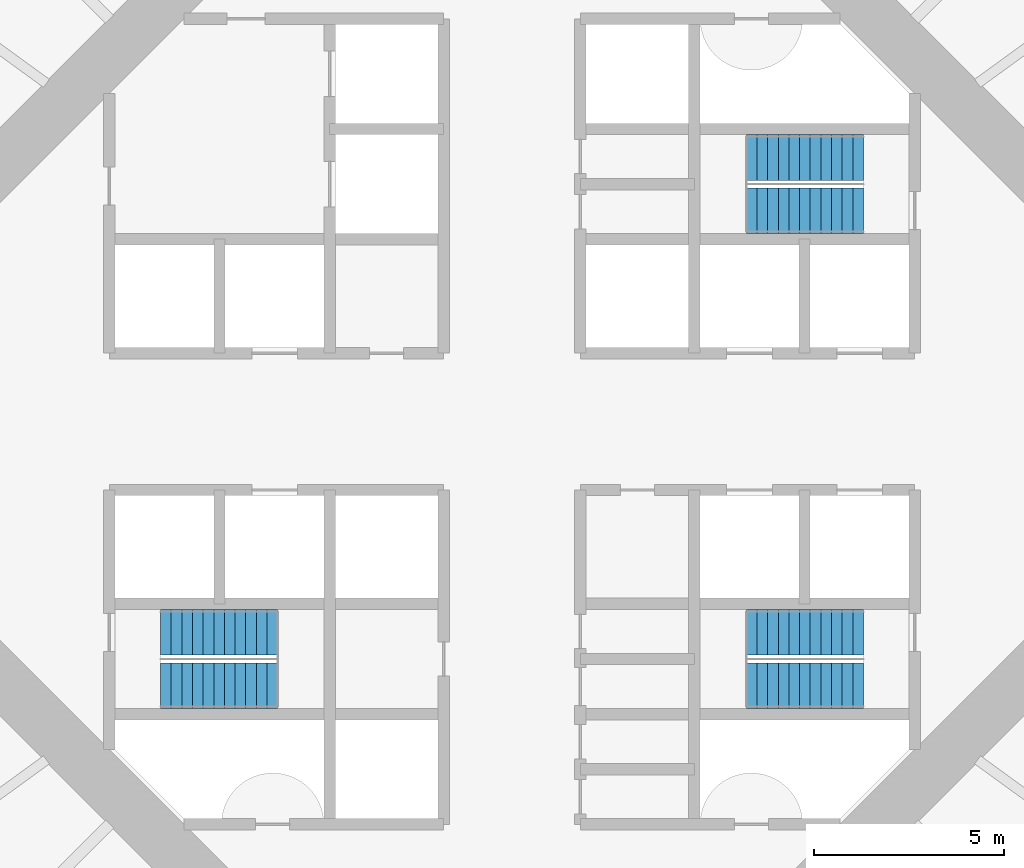
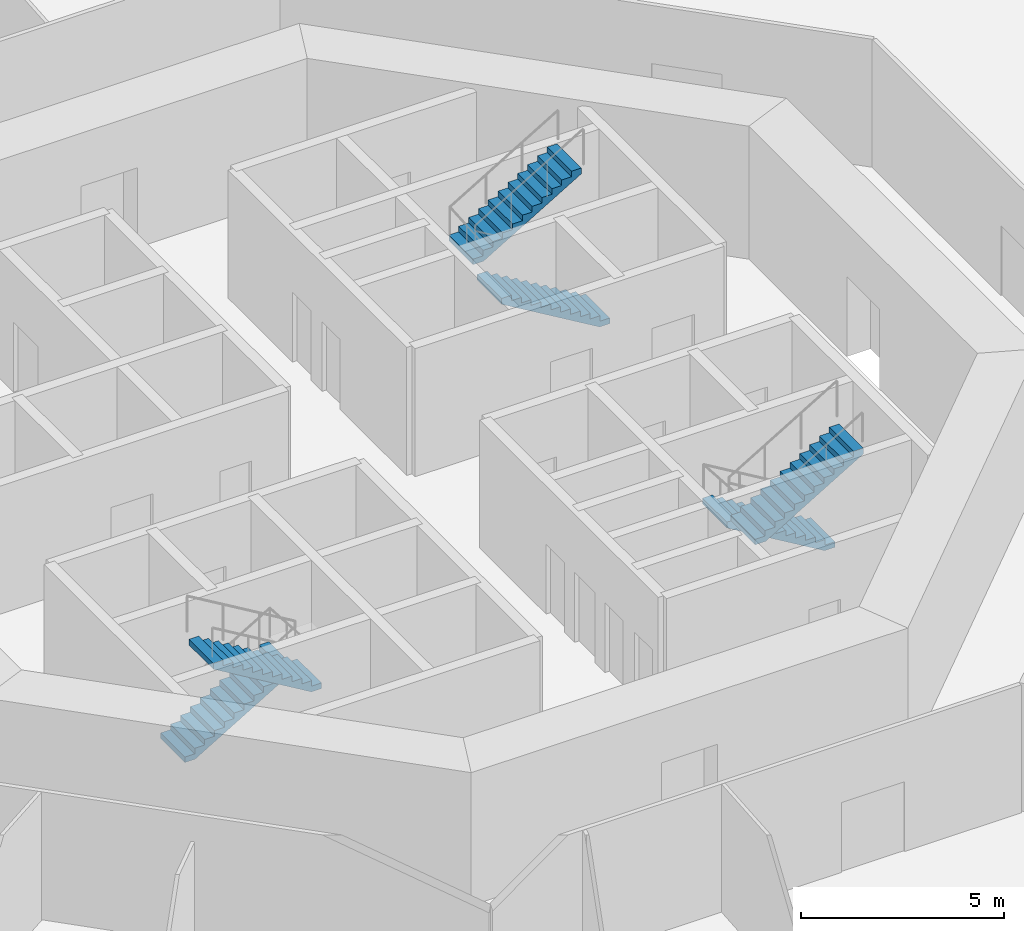
# One storey, part 6 of 13: 6 stair flights, 3 elements without a shape of their own.
"""IFC4 building model written with IfcOpenShell, lengths in metres."""

from ifc_helpers import new_model, si_unit, direction, frame, origin, place, context, subcontext, project, spatial, polyline, outline, extrude, material, type_object, element, aggregate, save


model = new_model("IFC4")

# Units and contexts
model_context = context("Model", 3, precision=1e-05, world=origin(), true_north=direction((0.0, 1.0)))
body_context = subcontext(model_context, "Body", "Model", "MODEL_VIEW")
ifc_project = project(units=[si_unit("LENGTHUNIT", "METRE"), si_unit("AREAUNIT", "SQUARE_METRE"), si_unit("VOLUMEUNIT", "CUBIC_METRE"), si_unit("PLANEANGLEUNIT", "RADIAN"), si_unit("MASSUNIT", "GRAM", prefix="KILO")], contexts=[model_context])

# Site, building, storey
site_placement = place(None, origin())
site = spatial("IfcSite", under=ifc_project, at=site_placement, CompositionType="ELEMENT")
building_placement = place(site_placement, origin())
building = spatial("IfcBuilding", under=site, at=building_placement, Name="Entoto Ring Tower", CompositionType="ELEMENT")
storey_placement = place(building_placement, frame((0.0, 0.0, 50.0)))
storey = spatial("IfcBuildingStorey", under=building, at=storey_placement, Name="L10", CompositionType="ELEMENT", Elevation=50.0)

# Stair, stair flights
ifc_material_1 = material(Name="Concrete C40/50", Category="concrete")
stair_type = type_object("IfcStairType", Name="Exit stair 1200 mm dog-leg reinforced concrete", PredefinedType="HALF_TURN_STAIR", material=ifc_material_1)
stair_1_placement = place(storey_placement, origin())
stair_1 = element("IfcStair", 1, at=stair_1_placement, inside=storey, type_object=stair_type, Name="Exit stair 1", PredefinedType="HALF_TURN_STAIR")
ifc_material_2 = material(Name="Concrete C40/50", Category="concrete")
stair_flight_type = type_object("IfcStairFlightType", Name="Stair flight 1200 mm reinforced concrete", PredefinedType="STRAIGHT", material=ifc_material_2)
stair_flight_1_placement = place(storey_placement, frame((99.25, 85.550048828125, 0.0), z_axis=(0.0, 0.0, 1.0), x_axis=(-1.0, 0.0, 0.0)))
stair_flight_1 = element("IfcStairFlight", 2, at=stair_flight_1_placement, type_object=stair_flight_type, Name="ST1 flight 1", NumberOfRisers=12, NumberOfTreads=11, PredefinedType="STRAIGHT", RiserHeight=0.166666667, TreadLength=0.28, context=body_context, shape_type="SweptSolid", body=[
    extrude(outline(polyline([(0.0, 0.0), (0.0, 0.166748046875), (0.280029296875, 0.166748046875), (0.280029296875, 0.333251953125), (0.56005859375, 0.333251953125), (0.56005859375, 0.5), (0.840087890625, 0.5), (0.840087890625, 0.666748046875), (1.1201171875, 0.666748046875), (1.1201171875, 0.833251953125), (1.39990234375, 0.833251953125), (1.39990234375, 1.0), (1.679931640625, 1.0), (1.679931640625, 1.166748046875), (1.9599609375, 1.166748046875), (1.9599609375, 1.333251953125), (2.239990234375, 1.333251953125), (2.239990234375, 1.5), (2.52001953125, 1.5), (2.52001953125, 1.666748046875), (2.800048828125, 1.666748046875), (2.800048828125, 1.833251953125), (3.080078125, 1.833251953125), (3.080078125, 2.0), (3.080078125, 1.658935546875), (0.29296875, 0.0), (0.0, 0.0)])), frame((0.0, 0.60009765625, 0.0), z_axis=(0.0, -1.0, 0.0), x_axis=(1.0, 0.0, 0.0)), (0.0, 0.0, 1.0), 1.199951171875),
])
stair_flight_2_placement = place(storey_placement, frame((96.169921875, 86.949951171875, 2.0), z_axis=(0.0, 0.0, 1.0), x_axis=(1.0, 0.0, 0.0)))
stair_flight_2 = element("IfcStairFlight", 3, at=stair_flight_2_placement, type_object=stair_flight_type, Name="ST1 flight 2", NumberOfRisers=12, NumberOfTreads=11, PredefinedType="STRAIGHT", RiserHeight=0.166666667, TreadLength=0.28, context=body_context, shape_type="SweptSolid", body=[
    extrude(outline(polyline([(0.0, 0.0), (0.0, 0.166748046875), (0.280029296875, 0.166748046875), (0.280029296875, 0.333251953125), (0.56005859375, 0.333251953125), (0.56005859375, 0.5), (0.840087890625, 0.5), (0.840087890625, 0.666748046875), (1.1201171875, 0.666748046875), (1.1201171875, 0.833251953125), (1.39990234375, 0.833251953125), (1.39990234375, 1.0), (1.679931640625, 1.0), (1.679931640625, 1.166748046875), (1.9599609375, 1.166748046875), (1.9599609375, 1.333251953125), (2.239990234375, 1.333251953125), (2.239990234375, 1.5), (2.52001953125, 1.5), (2.52001953125, 1.666748046875), (2.800048828125, 1.666748046875), (2.800048828125, 1.833251953125), (3.080078125, 1.833251953125), (3.080078125, 2.0), (3.080078125, 1.658935546875), (0.29296875, 0.0), (0.0, 0.0)])), frame((0.0, 0.60009765625, 0.0), z_axis=(0.0, -1.0, 0.0), x_axis=(1.0, 0.0, 0.0)), (0.0, 0.0, 1.0), 1.199951171875),
])
aggregate(stair_1, [stair_flight_1, stair_flight_2])

stair_2_placement = place(storey_placement, origin())
stair_2 = element("IfcStair", 4, at=stair_2_placement, inside=storey, type_object=stair_type, Name="Exit stair 2", PredefinedType="HALF_TURN_STAIR")
stair_flight_3_placement = place(storey_placement, frame((80.75, 74.449951171875, 0.0), z_axis=(0.0, 0.0, 1.0), x_axis=(1.0, 0.0, 0.0)))
stair_flight_3 = element("IfcStairFlight", 5, at=stair_flight_3_placement, type_object=stair_flight_type, Name="ST2 flight 1", NumberOfRisers=12, NumberOfTreads=11, PredefinedType="STRAIGHT", RiserHeight=0.166666667, TreadLength=0.28, context=body_context, shape_type="SweptSolid", body=[
    extrude(outline(polyline([(0.0, 0.0), (0.0, 0.166748046875), (0.280029296875, 0.166748046875), (0.280029296875, 0.333251953125), (0.56005859375, 0.333251953125), (0.56005859375, 0.5), (0.840087890625, 0.5), (0.840087890625, 0.666748046875), (1.1201171875, 0.666748046875), (1.1201171875, 0.833251953125), (1.39990234375, 0.833251953125), (1.39990234375, 1.0), (1.679931640625, 1.0), (1.679931640625, 1.166748046875), (1.9599609375, 1.166748046875), (1.9599609375, 1.333251953125), (2.239990234375, 1.333251953125), (2.239990234375, 1.5), (2.52001953125, 1.5), (2.52001953125, 1.666748046875), (2.800048828125, 1.666748046875), (2.800048828125, 1.833251953125), (3.080078125, 1.833251953125), (3.080078125, 2.0), (3.080078125, 1.658935546875), (0.29296875, 0.0), (0.0, 0.0)])), frame((0.0, 0.60009765625, 0.0), z_axis=(0.0, -1.0, 0.0), x_axis=(1.0, 0.0, 0.0)), (0.0, 0.0, 1.0), 1.199951171875),
])
stair_flight_4_placement = place(storey_placement, frame((83.830078125, 73.050048828125, 2.0), z_axis=(0.0, 0.0, 1.0), x_axis=(-1.0, 0.0, 0.0)))
stair_flight_4 = element("IfcStairFlight", 6, at=stair_flight_4_placement, type_object=stair_flight_type, Name="ST2 flight 2", NumberOfRisers=12, NumberOfTreads=11, PredefinedType="STRAIGHT", RiserHeight=0.166666667, TreadLength=0.28, context=body_context, shape_type="SweptSolid", body=[
    extrude(outline(polyline([(0.0, 0.0), (0.0, 0.166748046875), (0.280029296875, 0.166748046875), (0.280029296875, 0.333251953125), (0.56005859375, 0.333251953125), (0.56005859375, 0.5), (0.840087890625, 0.5), (0.840087890625, 0.666748046875), (1.1201171875, 0.666748046875), (1.1201171875, 0.833251953125), (1.39990234375, 0.833251953125), (1.39990234375, 1.0), (1.679931640625, 1.0), (1.679931640625, 1.166748046875), (1.9599609375, 1.166748046875), (1.9599609375, 1.333251953125), (2.239990234375, 1.333251953125), (2.239990234375, 1.5), (2.52001953125, 1.5), (2.52001953125, 1.666748046875), (2.800048828125, 1.666748046875), (2.800048828125, 1.833251953125), (3.080078125, 1.833251953125), (3.080078125, 2.0), (3.080078125, 1.658935546875), (0.29296875, 0.0), (0.0, 0.0)])), frame((0.0, 0.60009765625, 0.0), z_axis=(0.0, -1.0, 0.0), x_axis=(1.0, 0.0, 0.0)), (0.0, 0.0, 1.0), 1.199951171875),
])
aggregate(stair_2, [stair_flight_3, stair_flight_4])

stair_3_placement = place(storey_placement, origin())
stair_3 = element("IfcStair", 7, at=stair_3_placement, inside=storey, type_object=stair_type, Name="Exit stair 3", PredefinedType="HALF_TURN_STAIR")
stair_flight_5_placement = place(storey_placement, frame((99.25, 74.449951171875, 0.0), z_axis=(0.0, 0.0, 1.0), x_axis=(-1.0, 0.0, 0.0)))
stair_flight_5 = element("IfcStairFlight", 8, at=stair_flight_5_placement, type_object=stair_flight_type, Name="ST3 flight 1", NumberOfRisers=12, NumberOfTreads=11, PredefinedType="STRAIGHT", RiserHeight=0.166666667, TreadLength=0.28, context=body_context, shape_type="SweptSolid", body=[
    extrude(outline(polyline([(0.0, 0.0), (0.0, 0.166748046875), (0.280029296875, 0.166748046875), (0.280029296875, 0.333251953125), (0.56005859375, 0.333251953125), (0.56005859375, 0.5), (0.840087890625, 0.5), (0.840087890625, 0.666748046875), (1.1201171875, 0.666748046875), (1.1201171875, 0.833251953125), (1.39990234375, 0.833251953125), (1.39990234375, 1.0), (1.679931640625, 1.0), (1.679931640625, 1.166748046875), (1.9599609375, 1.166748046875), (1.9599609375, 1.333251953125), (2.239990234375, 1.333251953125), (2.239990234375, 1.5), (2.52001953125, 1.5), (2.52001953125, 1.666748046875), (2.800048828125, 1.666748046875), (2.800048828125, 1.833251953125), (3.080078125, 1.833251953125), (3.080078125, 2.0), (3.080078125, 1.658935546875), (0.29296875, 0.0), (0.0, 0.0)])), frame((0.0, 0.60009765625, 0.0), z_axis=(0.0, -1.0, 0.0), x_axis=(1.0, 0.0, 0.0)), (0.0, 0.0, 1.0), 1.199951171875),
])
stair_flight_6_placement = place(storey_placement, frame((96.169921875, 73.050048828125, 2.0), z_axis=(0.0, 0.0, 1.0), x_axis=(1.0, 0.0, 0.0)))
stair_flight_6 = element("IfcStairFlight", 9, at=stair_flight_6_placement, type_object=stair_flight_type, Name="ST3 flight 2", NumberOfRisers=12, NumberOfTreads=11, PredefinedType="STRAIGHT", RiserHeight=0.166666667, TreadLength=0.28, context=body_context, shape_type="SweptSolid", body=[
    extrude(outline(polyline([(0.0, 0.0), (0.0, 0.166748046875), (0.280029296875, 0.166748046875), (0.280029296875, 0.333251953125), (0.56005859375, 0.333251953125), (0.56005859375, 0.5), (0.840087890625, 0.5), (0.840087890625, 0.666748046875), (1.1201171875, 0.666748046875), (1.1201171875, 0.833251953125), (1.39990234375, 0.833251953125), (1.39990234375, 1.0), (1.679931640625, 1.0), (1.679931640625, 1.166748046875), (1.9599609375, 1.166748046875), (1.9599609375, 1.333251953125), (2.239990234375, 1.333251953125), (2.239990234375, 1.5), (2.52001953125, 1.5), (2.52001953125, 1.666748046875), (2.800048828125, 1.666748046875), (2.800048828125, 1.833251953125), (3.080078125, 1.833251953125), (3.080078125, 2.0), (3.080078125, 1.658935546875), (0.29296875, 0.0), (0.0, 0.0)])), frame((0.0, 0.60009765625, 0.0), z_axis=(0.0, -1.0, 0.0), x_axis=(1.0, 0.0, 0.0)), (0.0, 0.0, 1.0), 1.199951171875),
])
aggregate(stair_3, [stair_flight_5, stair_flight_6])

save(model, "model.ifc")
